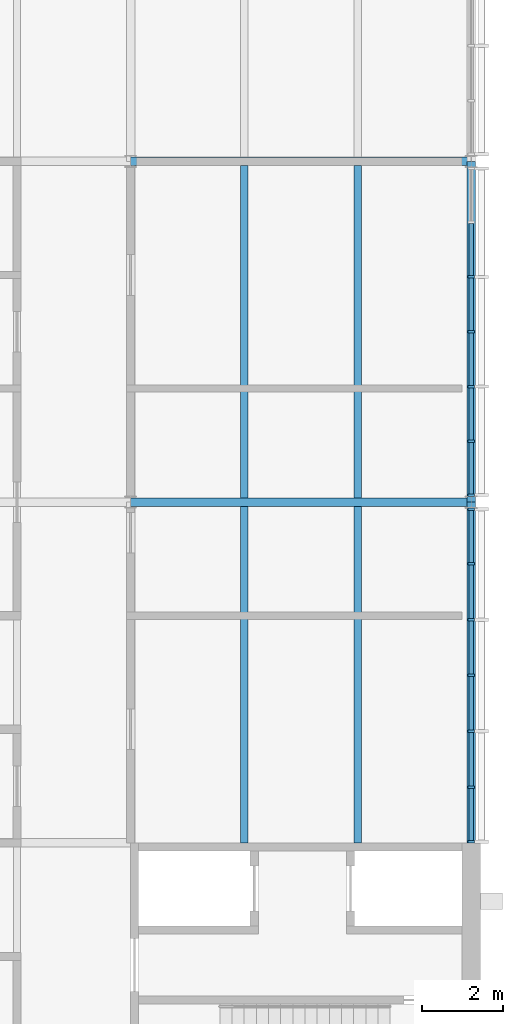
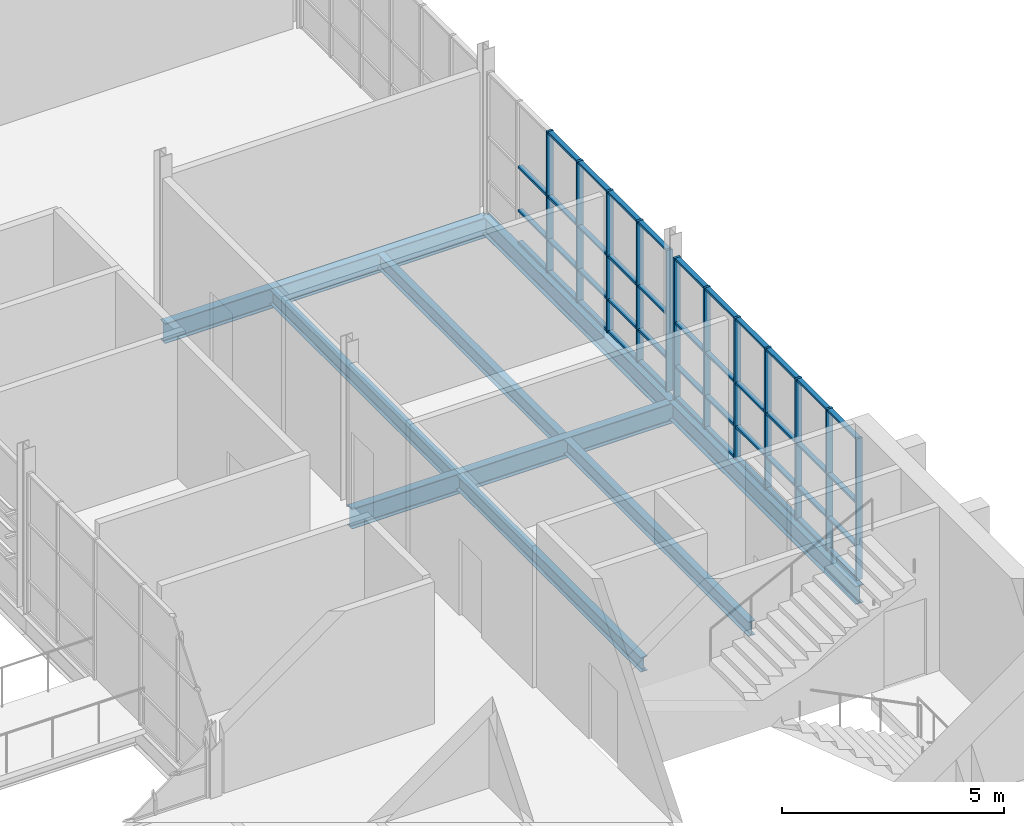
# One storey, part 56 of 129: 55 members, 8 beams, 2 elements without a shape of their own.
"""IFC4 building model written with IfcOpenShell, lengths in metres."""

import ifcopenshell
import ifcopenshell.guid

model = None  # the IFC model being written
_history = None  # IfcOwnerHistory: only IFC2X3 demands one
_inside = {}  # id of a spatial element -> (the spatial element, [elements in it])
_under = {}  # id of a project, library or spatial element -> (it, [spatial elements below it])
_declared = {}  # id of a project -> (the project, [libraries it declares])
_typed = {}  # id of a type object -> (the type object, [elements of that type])
_made_of = {}  # id of a material, layer set ... -> (it, [elements and type objects made of it])


def new_model(schema):
    """Start an empty IFC model of exactly this schema.

    Asked for "IFC4X3", IfcOpenShell would pick the latest addendum, in which some entities
    have other attributes; the version numbers below select the first issue.
    IFC2X3 requires an IfcOwnerHistory on every rooted entity: one is made here for all.
    """
    global model, _history
    if schema == "IFC4X3":
        model = ifcopenshell.file(schema_version=(4, 3, 0, 0))
    else:
        model = ifcopenshell.file(schema=schema)
    _inside.clear()
    _under.clear()
    _declared.clear()
    _typed.clear()
    _made_of.clear()
    _history = None
    if model.schema == "IFC2X3":
        org = make("IfcOrganization", Name="unknown")
        user = make(
            "IfcPersonAndOrganization",
            ThePerson=make("IfcPerson", FamilyName="unknown"),
            TheOrganization=org,
        )
        app = make(
            "IfcApplication",
            ApplicationDeveloper=org,
            Version="unknown",
            ApplicationFullName="unknown",
            ApplicationIdentifier="unknown",
        )
        _history = make(
            "IfcOwnerHistory",
            OwningUser=user,
            OwningApplication=app,
            ChangeAction="ADDED",
            CreationDate=0,
        )
    return model


def make(cls, **values):
    """One entity of the class cls with the attributes given. An attribute that is None is left unset."""
    return model.create_entity(
        cls, **{name: value for name, value in values.items() if value is not None}
    )


def rooted(cls, **values):
    """An entity with a GlobalId (a new one), such as an element, a storey or a relation."""
    return make(cls, GlobalId=ifcopenshell.guid.new(), OwnerHistory=_history, **values)


def si_unit(unit_type, name, prefix=None):
    """IfcSIUnit, for example si_unit("LENGTHUNIT", "METRE", prefix="MILLI")."""
    return make("IfcSIUnit", UnitType=unit_type, Prefix=prefix, Name=name)


def assignment(units):
    """IfcUnitAssignment: the units of a project."""
    return None if units is None else make("IfcUnitAssignment", Units=units)


def point(xyz):
    """IfcCartesianPoint."""
    return None if xyz is None else make("IfcCartesianPoint", Coordinates=xyz)


def direction(xyz):
    """IfcDirection."""
    return None if xyz is None else make("IfcDirection", DirectionRatios=xyz)


def frame(location, z_axis=None, x_axis=None):
    """IfcAxis2Placement3D, a coordinate frame: its origin and axes. An axis left out is left unset."""
    return make(
        "IfcAxis2Placement3D",
        Location=point(location),
        Axis=direction(z_axis),
        RefDirection=direction(x_axis),
    )


def frame_2d(location, x_axis=None):
    """IfcAxis2Placement2D, a coordinate frame in the plane: its origin and x axis."""
    return make(
        "IfcAxis2Placement2D", Location=point(location), RefDirection=direction(x_axis)
    )


def origin():
    """The frame at (0, 0, 0) with its axes left unset."""
    return frame((0.0, 0.0, 0.0))


def origin_2d():
    """The frame at (0, 0) in the plane with its x axis left unset."""
    return frame_2d((0.0, 0.0))


def place(relative_to, where):
    """IfcLocalPlacement: puts the frame where relative to a parent placement (None: the world)."""
    return make(
        "IfcLocalPlacement", PlacementRelTo=relative_to, RelativePlacement=where
    )


def context(
    kind, dimensions, precision=None, world=None, true_north=None, identifier=None
):
    """IfcGeometricRepresentationContext, for example the 3D "Model" context."""
    return make(
        "IfcGeometricRepresentationContext",
        ContextIdentifier=identifier,
        ContextType=kind,
        CoordinateSpaceDimension=dimensions,
        Precision=precision,
        WorldCoordinateSystem=world,
        TrueNorth=true_north,
    )


def subcontext(parent, identifier, kind, view, scale=None):
    """IfcGeometricRepresentationSubContext, for example "Body" below "Model"."""
    return make(
        "IfcGeometricRepresentationSubContext",
        ContextIdentifier=identifier,
        ContextType=kind,
        ParentContext=parent,
        TargetScale=scale,
        TargetView=view,
    )


def project(units=None, contexts=None):
    """IfcProject with its units and contexts."""
    return rooted(
        "IfcProject",
        Name="project",
        RepresentationContexts=contexts,
        UnitsInContext=assignment(units),
    )


def spatial(cls, under=None, at=None, **own):
    """A site, building, storey or space (cls), placed at a placement, below another one or the project."""
    s = rooted(cls, ObjectPlacement=at, **own)
    if under is not None:
        _under.setdefault(under.id(), (under, []))[1].append(s)
    return s


def profile(cls, at=None, kind="AREA", **sizes):
    """A parametric profile (cls). Its sizes go by their IFC names, for example OverallWidth=200.0."""
    return make(cls, ProfileType=kind, Position=at, **sizes)


def rectangle(**sizes):
    """IfcRectangleProfileDef."""
    return profile("IfcRectangleProfileDef", **sizes)


def i_section(**sizes):
    """IfcIShapeProfileDef."""
    return profile("IfcIShapeProfileDef", **sizes)


def extrude(swept, where, along, depth):
    """IfcExtrudedAreaSolid: the profile swept, set in the frame where, extruded along a direction by depth."""
    return make(
        "IfcExtrudedAreaSolid",
        SweptArea=swept,
        Position=where,
        ExtrudedDirection=direction(along),
        Depth=depth,
    )


def shape(context_of_items, identifier, shape_type, items):
    """IfcShapeRepresentation: the items that make up one representation, for example the "Body"."""
    return make(
        "IfcShapeRepresentation",
        ContextOfItems=context_of_items,
        RepresentationIdentifier=identifier,
        RepresentationType=shape_type,
        Items=items,
    )


def material(Name=None, Category=None):
    """IfcMaterial."""
    return make("IfcMaterial", Name=Name, Category=Category)


def layer(
    of_material, thickness, ventilated=None, Name=None, Category=None, Priority=None
):
    """IfcMaterialLayer: one layer of a wall or slab, of a material (None: an air gap)."""
    return make(
        "IfcMaterialLayer",
        Material=of_material,
        LayerThickness=thickness,
        IsVentilated=ventilated,
        Name=Name,
        Category=Category,
        Priority=Priority,
    )


def layer_set(layers, Name=None):
    """IfcMaterialLayerSet."""
    return make("IfcMaterialLayerSet", MaterialLayers=layers, LayerSetName=Name)


def material_profile(
    of_material, cross_section, Name=None, Category=None, Priority=None
):
    """IfcMaterialProfile: a cross section and its material."""
    return make(
        "IfcMaterialProfile",
        Name=Name,
        Material=of_material,
        Profile=cross_section,
        Priority=Priority,
        Category=Category,
    )


def profile_set(profiles, Name=None, composite=None):
    """IfcMaterialProfileSet."""
    return make(
        "IfcMaterialProfileSet",
        Name=Name,
        MaterialProfiles=profiles,
        CompositeProfile=composite,
    )


def made_of(thing, what):
    """Note that an element or type object is made of a material, layer set ...; save() writes the relation."""
    if what is not None:
        _made_of.setdefault(what.id(), (what, []))[1].append(thing)
    return thing


def type_object(cls, material=None, **own):
    """A type object (cls), such as IfcWallType, which elements share."""
    return made_of(rooted(cls, **own), material)


def element(
    cls,
    number,
    at=None,
    inside=None,
    cuts=None,
    type_object=None,
    material=None,
    context=None,
    identifier="Body",
    shape_type=None,
    held_by="IfcProductDefinitionShape",
    body=None,
    shapes=None,
    **own,
):
    """One element of the class cls, such as IfcWall. Its Tag is "e" and its number.

    at: its placement. inside: the storey or other place that contains it. cuts: it is an
    opening in that element (IfcRelVoidsElement). A single representation is given by context,
    identifier, shape_type and body (its items); several are given by shapes. held_by: the class
    of the entity that holds the representations. save() writes the other relations.
    """
    e = rooted(cls, Tag="e%d" % number, ObjectPlacement=at, **own)
    if body is not None:
        shapes = [shape(context, identifier, shape_type, body)]
    if shapes is not None:
        e.Representation = make(held_by, Representations=shapes)
    if inside is not None:
        _inside.setdefault(inside.id(), (inside, []))[1].append(e)
    if cuts is not None:
        rooted(
            "IfcRelVoidsElement", RelatingBuildingElement=cuts, RelatedOpeningElement=e
        )
    if type_object is not None:
        _typed.setdefault(type_object.id(), (type_object, []))[1].append(e)
    return made_of(e, material)


def aggregate(whole, parts):
    """IfcRelAggregates: a whole, such as a stair, and the parts it consists of."""
    return rooted("IfcRelAggregates", RelatingObject=whole, RelatedObjects=parts)


def save(model, path):
    """Write the relations noted so far, then the file.

    IfcRelAggregates (storeys below a building ...), IfcRelContainedInSpatialStructure (elements
    in a storey), IfcRelDefinesByType, IfcRelAssociatesMaterial and IfcRelDeclares: one each for
    every whole, place, type object, material and project.
    """
    for whole, parts in _under.values():
        aggregate(whole, parts)
    for where, things in _inside.values():
        rooted(
            "IfcRelContainedInSpatialStructure",
            RelatedElements=things,
            RelatingStructure=where,
        )
    for kind, things in _typed.values():
        rooted("IfcRelDefinesByType", RelatedObjects=things, RelatingType=kind)
    for what, things in _made_of.values():
        rooted("IfcRelAssociatesMaterial", RelatedObjects=things, RelatingMaterial=what)
    for by, libraries in _declared.values():
        rooted("IfcRelDeclares", RelatingContext=by, RelatedDefinitions=libraries)
    model.write(path)


model = new_model("IFC4")

# Units and contexts
model_context = context("Model", 3, precision=1e-05, world=origin(), true_north=direction((0.0, 1.0)))
body_context = subcontext(model_context, "Body", "Model", "MODEL_VIEW")
ifc_project = project(units=[si_unit("LENGTHUNIT", "METRE"), si_unit("AREAUNIT", "SQUARE_METRE"), si_unit("VOLUMEUNIT", "CUBIC_METRE"), si_unit("PLANEANGLEUNIT", "RADIAN"), si_unit("MASSUNIT", "GRAM", prefix="KILO")], contexts=[model_context])

# Site, building, storey
site_placement = place(None, origin())
site = spatial("IfcSite", under=ifc_project, at=site_placement, CompositionType="ELEMENT")
building_placement = place(site_placement, origin())
building = spatial("IfcBuilding", under=site, at=building_placement, Name="Ardhachandra Cancer Care Centre", CompositionType="ELEMENT")
storey_placement = place(building_placement, frame((0.0, 0.0, 4.5)))
storey = spatial("IfcBuildingStorey", under=building, at=storey_placement, Name="L01", CompositionType="ELEMENT", Elevation=4.5)

# Beams
ifc_material_1 = material(Name="Steel E350 (IS 2062)", Category="steel")
ifc_material_profile_1 = material_profile(ifc_material_1, i_section(OverallWidth=0.179931640625, OverallDepth=0.39990234375, WebThickness=0.008544921875, FlangeThickness=0.013427734375, FilletRadius=0.02099609375, at=origin_2d()), Name="NPB 400x180x66.30")
ifc_profile_set_1 = profile_set([ifc_material_profile_1], Name="Steel E350 (IS 2062)")
beam_type_1 = type_object("IfcBeamType", Name="Beam NPB 400x180x66.30", PredefinedType="BEAM", material=ifc_profile_set_1)
beam_1_placement = place(storey_placement, frame((139.60009765625, 37.800048828125, -0.35009765625), z_axis=(0.0, 1.0, 0.0), x_axis=(-1.0, 0.0, 0.0)))
element("IfcBeam", 1, at=beam_1_placement, inside=storey, type_object=beam_type_1, Name="Secondary D16-E16@2800", PredefinedType="BEAM", context=body_context, shape_type="SweptSolid", body=[
    extrude(i_section(OverallWidth=0.179931640625, OverallDepth=0.39990234375, WebThickness=0.008544921875, FlangeThickness=0.013427734375, FilletRadius=0.02099609375, at=origin_2d()), origin(), (0.0, 0.0, 1.0), 8.294921875),
])
beam_2_placement = place(storey_placement, frame((139.60009765625, 46.304931640625, -0.35009765625), z_axis=(0.0, 1.0, 0.0), x_axis=(-1.0, 0.0, 0.0)))
element("IfcBeam", 2, at=beam_2_placement, inside=storey, type_object=beam_type_1, Name="Secondary E16-F16@2800", PredefinedType="BEAM", context=body_context, shape_type="SweptSolid", body=[
    extrude(i_section(OverallWidth=0.179931640625, OverallDepth=0.39990234375, WebThickness=0.008544921875, FlangeThickness=0.013427734375, FilletRadius=0.02099609375, at=origin_2d()), origin(), (0.0, 0.0, 1.0), 8.190185546875),
])
beam_3_placement = place(storey_placement, frame((142.39990234375, 37.800048828125, -0.35009765625), z_axis=(0.0, 1.0, 0.0), x_axis=(-1.0, 0.0, 0.0)))
element("IfcBeam", 3, at=beam_3_placement, inside=storey, type_object=beam_type_1, Name="Secondary D16-E16@5600", PredefinedType="BEAM", context=body_context, shape_type="SweptSolid", body=[
    extrude(i_section(OverallWidth=0.179931640625, OverallDepth=0.39990234375, WebThickness=0.008544921875, FlangeThickness=0.013427734375, FilletRadius=0.02099609375, at=origin_2d()), origin(), (0.0, 0.0, 1.0), 8.294921875),
])
beam_4_placement = place(storey_placement, frame((142.39990234375, 46.304931640625, -0.35009765625), z_axis=(0.0, 1.0, 0.0), x_axis=(-1.0, 0.0, 0.0)))
element("IfcBeam", 4, at=beam_4_placement, inside=storey, type_object=beam_type_1, Name="Secondary E16-F16@5600", PredefinedType="BEAM", context=body_context, shape_type="SweptSolid", body=[
    extrude(i_section(OverallWidth=0.179931640625, OverallDepth=0.39990234375, WebThickness=0.008544921875, FlangeThickness=0.013427734375, FilletRadius=0.02099609375, at=origin_2d()), origin(), (0.0, 0.0, 1.0), 8.190185546875),
])
ifc_material_2 = material(Name="Steel E350 (IS 2062)", Category="steel")
ifc_material_profile_2 = material_profile(ifc_material_2, i_section(OverallWidth=0.199951171875, OverallDepth=0.5, WebThickness=0.01025390625, FlangeThickness=0.01611328125, FilletRadius=0.02099609375, at=origin_2d()), Name="NPB 500x200x90.68")
ifc_profile_set_2 = profile_set([ifc_material_profile_2], Name="Steel E350 (IS 2062)")
beam_type_2 = type_object("IfcBeamType", Name="Beam NPB 500x200x90.68", PredefinedType="BEAM", material=ifc_profile_set_2)
beam_5_placement = place(storey_placement, frame((145.199951171875, 37.800048828125, -0.39990234375), z_axis=(0.0, 1.0, 0.0), x_axis=(-1.0, 0.0, 0.0)))
element("IfcBeam", 5, at=beam_5_placement, inside=storey, type_object=beam_type_2, Name="Edge girder D17-E17", PredefinedType="BEAM", context=body_context, shape_type="SweptSolid", body=[
    extrude(i_section(OverallWidth=0.199951171875, OverallDepth=0.5, WebThickness=0.01025390625, FlangeThickness=0.01611328125, FilletRadius=0.02099609375, at=origin_2d()), origin(), (0.0, 0.0, 1.0), 8.39990234375),
])
beam_6_placement = place(storey_placement, frame((145.199951171875, 46.199951171875, -0.39990234375), z_axis=(0.0, 1.0, 0.0), x_axis=(-1.0, 0.0, 0.0)))
element("IfcBeam", 6, at=beam_6_placement, inside=storey, type_object=beam_type_2, Name="Edge girder E17-F17", PredefinedType="BEAM", context=body_context, shape_type="SweptSolid", body=[
    extrude(i_section(OverallWidth=0.199951171875, OverallDepth=0.5, WebThickness=0.01025390625, FlangeThickness=0.01611328125, FilletRadius=0.02099609375, at=origin_2d()), origin(), (0.0, 0.0, 1.0), 8.400146484375),
])
ifc_material_3 = material(Name="Steel E350 (IS 2062)", Category="steel")
ifc_material_profile_3 = material_profile(ifc_material_3, i_section(OverallWidth=0.2099609375, OverallDepth=0.550048828125, WebThickness=0.010986328125, FlangeThickness=0.01708984375, FilletRadius=0.02392578125, at=origin_2d()), Name="NPB 550x210x105.52")
ifc_profile_set_3 = profile_set([ifc_material_profile_3], Name="Steel E350 (IS 2062)")
beam_type_3 = type_object("IfcBeamType", Name="Beam NPB 550x210x105.52", PredefinedType="BEAM", material=ifc_profile_set_3)
for number, where, z_axis, x_axis, name in (
    (7, (136.800048828125, 46.199951171875, -0.425048828125), (1.0, 0.0, 0.0), (0.0, 1.0, 0.0), "Girder E16-E17"),
    (8, (136.800048828125, 54.60009765625, -0.425048828125), (1.0, 0.0, 0.0), (0.0, 1.0, 0.0), "Girder F16-F17"),
):
    element("IfcBeam", number, at=place(storey_placement, frame(where, z_axis=z_axis, x_axis=x_axis)), inside=storey, type_object=beam_type_3, Name=name, PredefinedType="BEAM", context=body_context, shape_type="SweptSolid", body=[
        extrude(i_section(OverallWidth=0.2099609375, OverallDepth=0.550048828125, WebThickness=0.010986328125, FlangeThickness=0.01708984375, FilletRadius=0.02392578125, at=origin_2d()), origin(), (0.0, 0.0, 1.0), 8.39990234375),
    ])

# Curtain wall, members
ifc_material_4 = material(Name="Aluminium extrusion", Category="aluminium")
ifc_layer = layer(ifc_material_4, 0.14990234375)
ifc_layer_set = layer_set([ifc_layer], Name="Aluminium extrusion")
curtain_wall_type = type_object("IfcCurtainWallType", Name="Curtain wall run", PredefinedType="NOTDEFINED", material=ifc_layer_set)
curtain_wall_1_placement = place(storey_placement, origin())
curtain_wall_1 = element("IfcCurtainWall", 9, at=curtain_wall_1_placement, inside=storey, type_object=curtain_wall_type, Name="Curtain wall L01 e/0145200_0037800", PredefinedType="NOTDEFINED")
ifc_material_5 = material(Name="Aluminium extrusion", Category="aluminium")
ifc_material_profile_4 = material_profile(ifc_material_5, rectangle(XDim=0.159912109375, YDim=0.06005859375, at=origin_2d()), Name="Curtain wall mullion 60 x 160")
ifc_profile_set_4 = profile_set([ifc_material_profile_4], Name="Aluminium extrusion")
member_type_1 = type_object("IfcMemberType", Name="Curtain wall mullion 60 x 160", PredefinedType="MULLION", material=ifc_profile_set_4)
member_1_placement = place(storey_placement, frame((145.199951171875, 37.830078125, 0.0), z_axis=(0.0, 0.0, 1.0), x_axis=(-1.0, 0.0, 0.0)))
member_1 = element("IfcMember", 10, at=member_1_placement, type_object=member_type_1, Name="CW mullion 1", PredefinedType="MULLION", context=body_context, shape_type="SweptSolid", body=[
    extrude(rectangle(XDim=0.159912109375, YDim=0.06005859375, at=origin_2d()), origin(), (0.0, 0.0, 1.0), 3.885986328125),
])
member_2_placement = place(storey_placement, frame((145.199951171875, 39.17578125, 0.0), z_axis=(0.0, 0.0, 1.0), x_axis=(-1.0, 0.0, 0.0)))
member_2 = element("IfcMember", 11, at=member_2_placement, type_object=member_type_1, Name="CW mullion 2", PredefinedType="MULLION", context=body_context, shape_type="SweptSolid", body=[
    extrude(rectangle(XDim=0.159912109375, YDim=0.06005859375, at=origin_2d()), origin(), (0.0, 0.0, 1.0), 3.885986328125),
])
member_3_placement = place(storey_placement, frame((145.199951171875, 40.5517578125, 0.0), z_axis=(0.0, 0.0, 1.0), x_axis=(-1.0, 0.0, 0.0)))
member_3 = element("IfcMember", 12, at=member_3_placement, type_object=member_type_1, Name="CW mullion 3", PredefinedType="MULLION", context=body_context, shape_type="SweptSolid", body=[
    extrude(rectangle(XDim=0.159912109375, YDim=0.06005859375, at=origin_2d()), origin(), (0.0, 0.0, 1.0), 3.885986328125),
])
member_4_placement = place(storey_placement, frame((145.199951171875, 41.927490234375, 0.0), z_axis=(0.0, 0.0, 1.0), x_axis=(-1.0, 0.0, 0.0)))
member_4 = element("IfcMember", 13, at=member_4_placement, type_object=member_type_1, Name="CW mullion 4", PredefinedType="MULLION", context=body_context, shape_type="SweptSolid", body=[
    extrude(rectangle(XDim=0.159912109375, YDim=0.06005859375, at=origin_2d()), origin(), (0.0, 0.0, 1.0), 3.885986328125),
])
member_5_placement = place(storey_placement, frame((145.199951171875, 43.30322265625, 0.0), z_axis=(0.0, 0.0, 1.0), x_axis=(-1.0, 0.0, 0.0)))
member_5 = element("IfcMember", 14, at=member_5_placement, type_object=member_type_1, Name="CW mullion 5", PredefinedType="MULLION", context=body_context, shape_type="SweptSolid", body=[
    extrude(rectangle(XDim=0.159912109375, YDim=0.06005859375, at=origin_2d()), origin(), (0.0, 0.0, 1.0), 3.885986328125),
])
member_6_placement = place(storey_placement, frame((145.199951171875, 44.67919921875, 0.0), z_axis=(0.0, 0.0, 1.0), x_axis=(-1.0, 0.0, 0.0)))
member_6 = element("IfcMember", 15, at=member_6_placement, type_object=member_type_1, Name="CW mullion 6", PredefinedType="MULLION", context=body_context, shape_type="SweptSolid", body=[
    extrude(rectangle(XDim=0.159912109375, YDim=0.06005859375, at=origin_2d()), origin(), (0.0, 0.0, 1.0), 3.885986328125),
])
member_7_placement = place(storey_placement, frame((145.199951171875, 46.02490234375, 0.0), z_axis=(0.0, 0.0, 1.0), x_axis=(-1.0, 0.0, 0.0)))
member_7 = element("IfcMember", 16, at=member_7_placement, type_object=member_type_1, Name="CW mullion 7", PredefinedType="MULLION", context=body_context, shape_type="SweptSolid", body=[
    extrude(rectangle(XDim=0.159912109375, YDim=0.06005859375, at=origin_2d()), origin(), (0.0, 0.0, 1.0), 3.885986328125),
])

curtain_wall_2_placement = place(storey_placement, origin())
curtain_wall_2 = element("IfcCurtainWall", 17, at=curtain_wall_2_placement, inside=storey, type_object=curtain_wall_type, Name="Curtain wall L01 e/0145200_0046200", PredefinedType="NOTDEFINED")
member_8_placement = place(storey_placement, frame((145.199951171875, 46.375, 0.0), z_axis=(0.0, 0.0, 1.0), x_axis=(-1.0, 0.0, 0.0)))
member_8 = element("IfcMember", 18, at=member_8_placement, type_object=member_type_1, Name="CW mullion 1", PredefinedType="MULLION", context=body_context, shape_type="SweptSolid", body=[
    extrude(rectangle(XDim=0.159912109375, YDim=0.06005859375, at=origin_2d()), origin(), (0.0, 0.0, 1.0), 3.885986328125),
])
member_9_placement = place(storey_placement, frame((145.199951171875, 47.69677734375, 0.0), z_axis=(0.0, 0.0, 1.0), x_axis=(-1.0, 0.0, 0.0)))
member_9 = element("IfcMember", 19, at=member_9_placement, type_object=member_type_1, Name="CW mullion 2", PredefinedType="MULLION", context=body_context, shape_type="SweptSolid", body=[
    extrude(rectangle(XDim=0.159912109375, YDim=0.06005859375, at=origin_2d()), origin(), (0.0, 0.0, 1.0), 3.885986328125),
])
member_10_placement = place(storey_placement, frame((145.199951171875, 49.04833984375, 0.0), z_axis=(0.0, 0.0, 1.0), x_axis=(-1.0, 0.0, 0.0)))
member_10 = element("IfcMember", 20, at=member_10_placement, type_object=member_type_1, Name="CW mullion 3", PredefinedType="MULLION", context=body_context, shape_type="SweptSolid", body=[
    extrude(rectangle(XDim=0.159912109375, YDim=0.06005859375, at=origin_2d()), origin(), (0.0, 0.0, 1.0), 3.885986328125),
])
member_11_placement = place(storey_placement, frame((145.199951171875, 50.39990234375, 0.0), z_axis=(0.0, 0.0, 1.0), x_axis=(-1.0, 0.0, 0.0)))
member_11 = element("IfcMember", 21, at=member_11_placement, type_object=member_type_1, Name="CW mullion 4", PredefinedType="MULLION", context=body_context, shape_type="SweptSolid", body=[
    extrude(rectangle(XDim=0.159912109375, YDim=0.06005859375, at=origin_2d()), origin(), (0.0, 0.0, 1.0), 3.885986328125),
])
member_12_placement = place(storey_placement, frame((145.199951171875, 51.751708984375, 0.0), z_axis=(0.0, 0.0, 1.0), x_axis=(-1.0, 0.0, 0.0)))
member_12 = element("IfcMember", 22, at=member_12_placement, type_object=member_type_1, Name="CW mullion 5", PredefinedType="MULLION", context=body_context, shape_type="SweptSolid", body=[
    extrude(rectangle(XDim=0.159912109375, YDim=0.06005859375, at=origin_2d()), origin(), (0.0, 0.0, 1.0), 3.885986328125),
])

# Member
ifc_material_6 = material(Name="Aluminium extrusion", Category="aluminium")
ifc_material_profile_5 = material_profile(ifc_material_6, rectangle(XDim=0.1201171875, YDim=0.06005859375, at=origin_2d()), Name="Curtain wall transom 60 x 120")
ifc_profile_set_5 = profile_set([ifc_material_profile_5], Name="Aluminium extrusion")
member_type_2 = type_object("IfcMemberType", Name="Curtain wall transom 60 x 120", PredefinedType="USERDEFINED", material=ifc_profile_set_5)
member_13_placement = place(storey_placement, frame((145.199951171875, 37.860107421875, 0.030029296875), z_axis=(0.0, 1.0, 0.0), x_axis=(-1.0, 0.0, 0.0)))
member_13 = element("IfcMember", 23, at=member_13_placement, type_object=member_type_2, Name="CW transom 1.1", ObjectType="TRANSOM", PredefinedType="USERDEFINED", context=body_context, shape_type="SweptSolid", body=[
    extrude(rectangle(XDim=0.1201171875, YDim=0.06005859375, at=origin_2d()), origin(), (0.0, 0.0, 1.0), 1.28564453125),
])

member_14_placement = place(storey_placement, frame((145.199951171875, 37.860107421875, 0.89990234375), z_axis=(0.0, 1.0, 0.0), x_axis=(-1.0, 0.0, 0.0)))
member_14 = element("IfcMember", 24, at=member_14_placement, type_object=member_type_2, Name="CW transom 1.2", ObjectType="TRANSOM", PredefinedType="USERDEFINED", context=body_context, shape_type="SweptSolid", body=[
    extrude(rectangle(XDim=0.1201171875, YDim=0.06005859375, at=origin_2d()), origin(), (0.0, 0.0, 1.0), 1.28564453125),
])

member_15_placement = place(storey_placement, frame((145.199951171875, 37.860107421875, 2.10009765625), z_axis=(0.0, 1.0, 0.0), x_axis=(-1.0, 0.0, 0.0)))
member_15 = element("IfcMember", 25, at=member_15_placement, type_object=member_type_2, Name="CW transom 1.3", ObjectType="TRANSOM", PredefinedType="USERDEFINED", context=body_context, shape_type="SweptSolid", body=[
    extrude(rectangle(XDim=0.1201171875, YDim=0.06005859375, at=origin_2d()), origin(), (0.0, 0.0, 1.0), 1.28564453125),
])

member_16_placement = place(storey_placement, frame((145.199951171875, 37.860107421875, 3.85595703125), z_axis=(0.0, 1.0, 0.0), x_axis=(-1.0, 0.0, 0.0)))
member_16 = element("IfcMember", 26, at=member_16_placement, type_object=member_type_2, Name="CW transom 1.4", ObjectType="TRANSOM", PredefinedType="USERDEFINED", context=body_context, shape_type="SweptSolid", body=[
    extrude(rectangle(XDim=0.1201171875, YDim=0.06005859375, at=origin_2d()), origin(), (0.0, 0.0, 1.0), 1.28564453125),
])

member_17_placement = place(storey_placement, frame((145.199951171875, 39.205810546875, 0.030029296875), z_axis=(0.0, 1.0, 0.0), x_axis=(-1.0, 0.0, 0.0)))
member_17 = element("IfcMember", 27, at=member_17_placement, type_object=member_type_2, Name="CW transom 2.1", ObjectType="TRANSOM", PredefinedType="USERDEFINED", context=body_context, shape_type="SweptSolid", body=[
    extrude(rectangle(XDim=0.1201171875, YDim=0.06005859375, at=origin_2d()), origin(), (0.0, 0.0, 1.0), 1.31591796875),
])

member_18_placement = place(storey_placement, frame((145.199951171875, 39.205810546875, 0.89990234375), z_axis=(0.0, 1.0, 0.0), x_axis=(-1.0, 0.0, 0.0)))
member_18 = element("IfcMember", 28, at=member_18_placement, type_object=member_type_2, Name="CW transom 2.2", ObjectType="TRANSOM", PredefinedType="USERDEFINED", context=body_context, shape_type="SweptSolid", body=[
    extrude(rectangle(XDim=0.1201171875, YDim=0.06005859375, at=origin_2d()), origin(), (0.0, 0.0, 1.0), 1.31591796875),
])

member_19_placement = place(storey_placement, frame((145.199951171875, 39.205810546875, 2.10009765625), z_axis=(0.0, 1.0, 0.0), x_axis=(-1.0, 0.0, 0.0)))
member_19 = element("IfcMember", 29, at=member_19_placement, type_object=member_type_2, Name="CW transom 2.3", ObjectType="TRANSOM", PredefinedType="USERDEFINED", context=body_context, shape_type="SweptSolid", body=[
    extrude(rectangle(XDim=0.1201171875, YDim=0.06005859375, at=origin_2d()), origin(), (0.0, 0.0, 1.0), 1.31591796875),
])

member_20_placement = place(storey_placement, frame((145.199951171875, 39.205810546875, 3.85595703125), z_axis=(0.0, 1.0, 0.0), x_axis=(-1.0, 0.0, 0.0)))
member_20 = element("IfcMember", 30, at=member_20_placement, type_object=member_type_2, Name="CW transom 2.4", ObjectType="TRANSOM", PredefinedType="USERDEFINED", context=body_context, shape_type="SweptSolid", body=[
    extrude(rectangle(XDim=0.1201171875, YDim=0.06005859375, at=origin_2d()), origin(), (0.0, 0.0, 1.0), 1.31591796875),
])

member_21_placement = place(storey_placement, frame((145.199951171875, 40.581787109375, 0.030029296875), z_axis=(0.0, 1.0, 0.0), x_axis=(-1.0, 0.0, 0.0)))
member_21 = element("IfcMember", 31, at=member_21_placement, type_object=member_type_2, Name="CW transom 3.1", ObjectType="TRANSOM", PredefinedType="USERDEFINED", context=body_context, shape_type="SweptSolid", body=[
    extrude(rectangle(XDim=0.1201171875, YDim=0.06005859375, at=origin_2d()), origin(), (0.0, 0.0, 1.0), 1.315673828125),
])

member_22_placement = place(storey_placement, frame((145.199951171875, 40.581787109375, 0.89990234375), z_axis=(0.0, 1.0, 0.0), x_axis=(-1.0, 0.0, 0.0)))
member_22 = element("IfcMember", 32, at=member_22_placement, type_object=member_type_2, Name="CW transom 3.2", ObjectType="TRANSOM", PredefinedType="USERDEFINED", context=body_context, shape_type="SweptSolid", body=[
    extrude(rectangle(XDim=0.1201171875, YDim=0.06005859375, at=origin_2d()), origin(), (0.0, 0.0, 1.0), 1.315673828125),
])

member_23_placement = place(storey_placement, frame((145.199951171875, 40.581787109375, 2.10009765625), z_axis=(0.0, 1.0, 0.0), x_axis=(-1.0, 0.0, 0.0)))
member_23 = element("IfcMember", 33, at=member_23_placement, type_object=member_type_2, Name="CW transom 3.3", ObjectType="TRANSOM", PredefinedType="USERDEFINED", context=body_context, shape_type="SweptSolid", body=[
    extrude(rectangle(XDim=0.1201171875, YDim=0.06005859375, at=origin_2d()), origin(), (0.0, 0.0, 1.0), 1.315673828125),
])

member_24_placement = place(storey_placement, frame((145.199951171875, 40.581787109375, 3.85595703125), z_axis=(0.0, 1.0, 0.0), x_axis=(-1.0, 0.0, 0.0)))
member_24 = element("IfcMember", 34, at=member_24_placement, type_object=member_type_2, Name="CW transom 3.4", ObjectType="TRANSOM", PredefinedType="USERDEFINED", context=body_context, shape_type="SweptSolid", body=[
    extrude(rectangle(XDim=0.1201171875, YDim=0.06005859375, at=origin_2d()), origin(), (0.0, 0.0, 1.0), 1.315673828125),
])

member_25_placement = place(storey_placement, frame((145.199951171875, 41.95751953125, 0.030029296875), z_axis=(0.0, 1.0, 0.0), x_axis=(-1.0, 0.0, 0.0)))
member_25 = element("IfcMember", 35, at=member_25_placement, type_object=member_type_2, Name="CW transom 4.1", ObjectType="TRANSOM", PredefinedType="USERDEFINED", context=body_context, shape_type="SweptSolid", body=[
    extrude(rectangle(XDim=0.1201171875, YDim=0.06005859375, at=origin_2d()), origin(), (0.0, 0.0, 1.0), 1.31591796875),
])

member_26_placement = place(storey_placement, frame((145.199951171875, 41.95751953125, 0.89990234375), z_axis=(0.0, 1.0, 0.0), x_axis=(-1.0, 0.0, 0.0)))
member_26 = element("IfcMember", 36, at=member_26_placement, type_object=member_type_2, Name="CW transom 4.2", ObjectType="TRANSOM", PredefinedType="USERDEFINED", context=body_context, shape_type="SweptSolid", body=[
    extrude(rectangle(XDim=0.1201171875, YDim=0.06005859375, at=origin_2d()), origin(), (0.0, 0.0, 1.0), 1.31591796875),
])

member_27_placement = place(storey_placement, frame((145.199951171875, 41.95751953125, 2.10009765625), z_axis=(0.0, 1.0, 0.0), x_axis=(-1.0, 0.0, 0.0)))
member_27 = element("IfcMember", 37, at=member_27_placement, type_object=member_type_2, Name="CW transom 4.3", ObjectType="TRANSOM", PredefinedType="USERDEFINED", context=body_context, shape_type="SweptSolid", body=[
    extrude(rectangle(XDim=0.1201171875, YDim=0.06005859375, at=origin_2d()), origin(), (0.0, 0.0, 1.0), 1.31591796875),
])

member_28_placement = place(storey_placement, frame((145.199951171875, 41.95751953125, 3.85595703125), z_axis=(0.0, 1.0, 0.0), x_axis=(-1.0, 0.0, 0.0)))
member_28 = element("IfcMember", 38, at=member_28_placement, type_object=member_type_2, Name="CW transom 4.4", ObjectType="TRANSOM", PredefinedType="USERDEFINED", context=body_context, shape_type="SweptSolid", body=[
    extrude(rectangle(XDim=0.1201171875, YDim=0.06005859375, at=origin_2d()), origin(), (0.0, 0.0, 1.0), 1.31591796875),
])

member_29_placement = place(storey_placement, frame((145.199951171875, 43.333251953125, 0.030029296875), z_axis=(0.0, 1.0, 0.0), x_axis=(-1.0, 0.0, 0.0)))
member_29 = element("IfcMember", 39, at=member_29_placement, type_object=member_type_2, Name="CW transom 5.1", ObjectType="TRANSOM", PredefinedType="USERDEFINED", context=body_context, shape_type="SweptSolid", body=[
    extrude(rectangle(XDim=0.1201171875, YDim=0.06005859375, at=origin_2d()), origin(), (0.0, 0.0, 1.0), 1.31591796875),
])

member_30_placement = place(storey_placement, frame((145.199951171875, 43.333251953125, 0.89990234375), z_axis=(0.0, 1.0, 0.0), x_axis=(-1.0, 0.0, 0.0)))
member_30 = element("IfcMember", 40, at=member_30_placement, type_object=member_type_2, Name="CW transom 5.2", ObjectType="TRANSOM", PredefinedType="USERDEFINED", context=body_context, shape_type="SweptSolid", body=[
    extrude(rectangle(XDim=0.1201171875, YDim=0.06005859375, at=origin_2d()), origin(), (0.0, 0.0, 1.0), 1.31591796875),
])

member_31_placement = place(storey_placement, frame((145.199951171875, 43.333251953125, 2.10009765625), z_axis=(0.0, 1.0, 0.0), x_axis=(-1.0, 0.0, 0.0)))
member_31 = element("IfcMember", 41, at=member_31_placement, type_object=member_type_2, Name="CW transom 5.3", ObjectType="TRANSOM", PredefinedType="USERDEFINED", context=body_context, shape_type="SweptSolid", body=[
    extrude(rectangle(XDim=0.1201171875, YDim=0.06005859375, at=origin_2d()), origin(), (0.0, 0.0, 1.0), 1.31591796875),
])

member_32_placement = place(storey_placement, frame((145.199951171875, 43.333251953125, 3.85595703125), z_axis=(0.0, 1.0, 0.0), x_axis=(-1.0, 0.0, 0.0)))
member_32 = element("IfcMember", 42, at=member_32_placement, type_object=member_type_2, Name="CW transom 5.4", ObjectType="TRANSOM", PredefinedType="USERDEFINED", context=body_context, shape_type="SweptSolid", body=[
    extrude(rectangle(XDim=0.1201171875, YDim=0.06005859375, at=origin_2d()), origin(), (0.0, 0.0, 1.0), 1.31591796875),
])

member_33_placement = place(storey_placement, frame((145.199951171875, 44.709228515625, 0.030029296875), z_axis=(0.0, 1.0, 0.0), x_axis=(-1.0, 0.0, 0.0)))
member_33 = element("IfcMember", 43, at=member_33_placement, type_object=member_type_2, Name="CW transom 6.1", ObjectType="TRANSOM", PredefinedType="USERDEFINED", context=body_context, shape_type="SweptSolid", body=[
    extrude(rectangle(XDim=0.1201171875, YDim=0.06005859375, at=origin_2d()), origin(), (0.0, 0.0, 1.0), 1.285888671875),
])

member_34_placement = place(storey_placement, frame((145.199951171875, 44.709228515625, 0.89990234375), z_axis=(0.0, 1.0, 0.0), x_axis=(-1.0, 0.0, 0.0)))
member_34 = element("IfcMember", 44, at=member_34_placement, type_object=member_type_2, Name="CW transom 6.2", ObjectType="TRANSOM", PredefinedType="USERDEFINED", context=body_context, shape_type="SweptSolid", body=[
    extrude(rectangle(XDim=0.1201171875, YDim=0.06005859375, at=origin_2d()), origin(), (0.0, 0.0, 1.0), 1.285888671875),
])

member_35_placement = place(storey_placement, frame((145.199951171875, 44.709228515625, 2.10009765625), z_axis=(0.0, 1.0, 0.0), x_axis=(-1.0, 0.0, 0.0)))
member_35 = element("IfcMember", 45, at=member_35_placement, type_object=member_type_2, Name="CW transom 6.3", ObjectType="TRANSOM", PredefinedType="USERDEFINED", context=body_context, shape_type="SweptSolid", body=[
    extrude(rectangle(XDim=0.1201171875, YDim=0.06005859375, at=origin_2d()), origin(), (0.0, 0.0, 1.0), 1.285888671875),
])

member_36_placement = place(storey_placement, frame((145.199951171875, 44.709228515625, 3.85595703125), z_axis=(0.0, 1.0, 0.0), x_axis=(-1.0, 0.0, 0.0)))
member_36 = element("IfcMember", 46, at=member_36_placement, type_object=member_type_2, Name="CW transom 6.4", ObjectType="TRANSOM", PredefinedType="USERDEFINED", context=body_context, shape_type="SweptSolid", body=[
    extrude(rectangle(XDim=0.1201171875, YDim=0.06005859375, at=origin_2d()), origin(), (0.0, 0.0, 1.0), 1.285888671875),
])

aggregate(curtain_wall_1, [member_1, member_2, member_3, member_4, member_5, member_6, member_7, member_13, member_14, member_15, member_16, member_17, member_18, member_19, member_20, member_21, member_22, member_23, member_24, member_25, member_26, member_27, member_28, member_29, member_30, member_31, member_32, member_33, member_34, member_35, member_36])

member_37_placement = place(storey_placement, frame((145.199951171875, 46.405029296875, 0.030029296875), z_axis=(0.0, 1.0, 0.0), x_axis=(-1.0, 0.0, 0.0)))
member_37 = element("IfcMember", 47, at=member_37_placement, type_object=member_type_2, Name="CW transom 1.1", ObjectType="TRANSOM", PredefinedType="USERDEFINED", context=body_context, shape_type="SweptSolid", body=[
    extrude(rectangle(XDim=0.1201171875, YDim=0.06005859375, at=origin_2d()), origin(), (0.0, 0.0, 1.0), 1.26171875),
])

member_38_placement = place(storey_placement, frame((145.199951171875, 46.405029296875, 0.89990234375), z_axis=(0.0, 1.0, 0.0), x_axis=(-1.0, 0.0, 0.0)))
member_38 = element("IfcMember", 48, at=member_38_placement, type_object=member_type_2, Name="CW transom 1.2", ObjectType="TRANSOM", PredefinedType="USERDEFINED", context=body_context, shape_type="SweptSolid", body=[
    extrude(rectangle(XDim=0.1201171875, YDim=0.06005859375, at=origin_2d()), origin(), (0.0, 0.0, 1.0), 1.26171875),
])

member_39_placement = place(storey_placement, frame((145.199951171875, 46.405029296875, 2.10009765625), z_axis=(0.0, 1.0, 0.0), x_axis=(-1.0, 0.0, 0.0)))
member_39 = element("IfcMember", 49, at=member_39_placement, type_object=member_type_2, Name="CW transom 1.3", ObjectType="TRANSOM", PredefinedType="USERDEFINED", context=body_context, shape_type="SweptSolid", body=[
    extrude(rectangle(XDim=0.1201171875, YDim=0.06005859375, at=origin_2d()), origin(), (0.0, 0.0, 1.0), 1.26171875),
])

member_40_placement = place(storey_placement, frame((145.199951171875, 46.405029296875, 3.85595703125), z_axis=(0.0, 1.0, 0.0), x_axis=(-1.0, 0.0, 0.0)))
member_40 = element("IfcMember", 50, at=member_40_placement, type_object=member_type_2, Name="CW transom 1.4", ObjectType="TRANSOM", PredefinedType="USERDEFINED", context=body_context, shape_type="SweptSolid", body=[
    extrude(rectangle(XDim=0.1201171875, YDim=0.06005859375, at=origin_2d()), origin(), (0.0, 0.0, 1.0), 1.26171875),
])

member_41_placement = place(storey_placement, frame((145.199951171875, 47.7265625, 0.030029296875), z_axis=(0.0, 1.0, 0.0), x_axis=(-1.0, 0.0, 0.0)))
member_41 = element("IfcMember", 51, at=member_41_placement, type_object=member_type_2, Name="CW transom 2.1", ObjectType="TRANSOM", PredefinedType="USERDEFINED", context=body_context, shape_type="SweptSolid", body=[
    extrude(rectangle(XDim=0.1201171875, YDim=0.06005859375, at=origin_2d()), origin(), (0.0, 0.0, 1.0), 1.291748046875),
])

member_42_placement = place(storey_placement, frame((145.199951171875, 47.7265625, 0.89990234375), z_axis=(0.0, 1.0, 0.0), x_axis=(-1.0, 0.0, 0.0)))
member_42 = element("IfcMember", 52, at=member_42_placement, type_object=member_type_2, Name="CW transom 2.2", ObjectType="TRANSOM", PredefinedType="USERDEFINED", context=body_context, shape_type="SweptSolid", body=[
    extrude(rectangle(XDim=0.1201171875, YDim=0.06005859375, at=origin_2d()), origin(), (0.0, 0.0, 1.0), 1.291748046875),
])

member_43_placement = place(storey_placement, frame((145.199951171875, 47.7265625, 2.10009765625), z_axis=(0.0, 1.0, 0.0), x_axis=(-1.0, 0.0, 0.0)))
member_43 = element("IfcMember", 53, at=member_43_placement, type_object=member_type_2, Name="CW transom 2.3", ObjectType="TRANSOM", PredefinedType="USERDEFINED", context=body_context, shape_type="SweptSolid", body=[
    extrude(rectangle(XDim=0.1201171875, YDim=0.06005859375, at=origin_2d()), origin(), (0.0, 0.0, 1.0), 1.291748046875),
])

member_44_placement = place(storey_placement, frame((145.199951171875, 47.7265625, 3.85595703125), z_axis=(0.0, 1.0, 0.0), x_axis=(-1.0, 0.0, 0.0)))
member_44 = element("IfcMember", 54, at=member_44_placement, type_object=member_type_2, Name="CW transom 2.4", ObjectType="TRANSOM", PredefinedType="USERDEFINED", context=body_context, shape_type="SweptSolid", body=[
    extrude(rectangle(XDim=0.1201171875, YDim=0.06005859375, at=origin_2d()), origin(), (0.0, 0.0, 1.0), 1.291748046875),
])

member_45_placement = place(storey_placement, frame((145.199951171875, 49.078369140625, 0.030029296875), z_axis=(0.0, 1.0, 0.0), x_axis=(-1.0, 0.0, 0.0)))
member_45 = element("IfcMember", 55, at=member_45_placement, type_object=member_type_2, Name="CW transom 3.1", ObjectType="TRANSOM", PredefinedType="USERDEFINED", context=body_context, shape_type="SweptSolid", body=[
    extrude(rectangle(XDim=0.1201171875, YDim=0.06005859375, at=origin_2d()), origin(), (0.0, 0.0, 1.0), 1.291748046875),
])

member_46_placement = place(storey_placement, frame((145.199951171875, 49.078369140625, 0.89990234375), z_axis=(0.0, 1.0, 0.0), x_axis=(-1.0, 0.0, 0.0)))
member_46 = element("IfcMember", 56, at=member_46_placement, type_object=member_type_2, Name="CW transom 3.2", ObjectType="TRANSOM", PredefinedType="USERDEFINED", context=body_context, shape_type="SweptSolid", body=[
    extrude(rectangle(XDim=0.1201171875, YDim=0.06005859375, at=origin_2d()), origin(), (0.0, 0.0, 1.0), 1.291748046875),
])

member_47_placement = place(storey_placement, frame((145.199951171875, 49.078369140625, 2.10009765625), z_axis=(0.0, 1.0, 0.0), x_axis=(-1.0, 0.0, 0.0)))
member_47 = element("IfcMember", 57, at=member_47_placement, type_object=member_type_2, Name="CW transom 3.3", ObjectType="TRANSOM", PredefinedType="USERDEFINED", context=body_context, shape_type="SweptSolid", body=[
    extrude(rectangle(XDim=0.1201171875, YDim=0.06005859375, at=origin_2d()), origin(), (0.0, 0.0, 1.0), 1.291748046875),
])

member_48_placement = place(storey_placement, frame((145.199951171875, 49.078369140625, 3.85595703125), z_axis=(0.0, 1.0, 0.0), x_axis=(-1.0, 0.0, 0.0)))
member_48 = element("IfcMember", 58, at=member_48_placement, type_object=member_type_2, Name="CW transom 3.4", ObjectType="TRANSOM", PredefinedType="USERDEFINED", context=body_context, shape_type="SweptSolid", body=[
    extrude(rectangle(XDim=0.1201171875, YDim=0.06005859375, at=origin_2d()), origin(), (0.0, 0.0, 1.0), 1.291748046875),
])

member_49_placement = place(storey_placement, frame((145.199951171875, 50.429931640625, 0.030029296875), z_axis=(0.0, 1.0, 0.0), x_axis=(-1.0, 0.0, 0.0)))
member_49 = element("IfcMember", 59, at=member_49_placement, type_object=member_type_2, Name="CW transom 4.1", ObjectType="TRANSOM", PredefinedType="USERDEFINED", context=body_context, shape_type="SweptSolid", body=[
    extrude(rectangle(XDim=0.1201171875, YDim=0.06005859375, at=origin_2d()), origin(), (0.0, 0.0, 1.0), 1.291748046875),
])

member_50_placement = place(storey_placement, frame((145.199951171875, 50.429931640625, 0.89990234375), z_axis=(0.0, 1.0, 0.0), x_axis=(-1.0, 0.0, 0.0)))
member_50 = element("IfcMember", 60, at=member_50_placement, type_object=member_type_2, Name="CW transom 4.2", ObjectType="TRANSOM", PredefinedType="USERDEFINED", context=body_context, shape_type="SweptSolid", body=[
    extrude(rectangle(XDim=0.1201171875, YDim=0.06005859375, at=origin_2d()), origin(), (0.0, 0.0, 1.0), 1.291748046875),
])

member_51_placement = place(storey_placement, frame((145.199951171875, 50.429931640625, 2.10009765625), z_axis=(0.0, 1.0, 0.0), x_axis=(-1.0, 0.0, 0.0)))
member_51 = element("IfcMember", 61, at=member_51_placement, type_object=member_type_2, Name="CW transom 4.3", ObjectType="TRANSOM", PredefinedType="USERDEFINED", context=body_context, shape_type="SweptSolid", body=[
    extrude(rectangle(XDim=0.1201171875, YDim=0.06005859375, at=origin_2d()), origin(), (0.0, 0.0, 1.0), 1.291748046875),
])

member_52_placement = place(storey_placement, frame((145.199951171875, 50.429931640625, 3.85595703125), z_axis=(0.0, 1.0, 0.0), x_axis=(-1.0, 0.0, 0.0)))
member_52 = element("IfcMember", 62, at=member_52_placement, type_object=member_type_2, Name="CW transom 4.4", ObjectType="TRANSOM", PredefinedType="USERDEFINED", context=body_context, shape_type="SweptSolid", body=[
    extrude(rectangle(XDim=0.1201171875, YDim=0.06005859375, at=origin_2d()), origin(), (0.0, 0.0, 1.0), 1.291748046875),
])

member_53_placement = place(storey_placement, frame((145.199951171875, 51.78173828125, 0.030029296875), z_axis=(0.0, 1.0, 0.0), x_axis=(-1.0, 0.0, 0.0)))
member_53 = element("IfcMember", 63, at=member_53_placement, type_object=member_type_2, Name="CW transom 5.1", ObjectType="TRANSOM", PredefinedType="USERDEFINED", context=body_context, shape_type="SweptSolid", body=[
    extrude(rectangle(XDim=0.1201171875, YDim=0.06005859375, at=origin_2d()), origin(), (0.0, 0.0, 1.0), 1.29150390625),
])

member_54_placement = place(storey_placement, frame((145.199951171875, 51.78173828125, 0.89990234375), z_axis=(0.0, 1.0, 0.0), x_axis=(-1.0, 0.0, 0.0)))
member_54 = element("IfcMember", 64, at=member_54_placement, type_object=member_type_2, Name="CW transom 5.2", ObjectType="TRANSOM", PredefinedType="USERDEFINED", context=body_context, shape_type="SweptSolid", body=[
    extrude(rectangle(XDim=0.1201171875, YDim=0.06005859375, at=origin_2d()), origin(), (0.0, 0.0, 1.0), 1.29150390625),
])

member_55_placement = place(storey_placement, frame((145.199951171875, 51.78173828125, 2.10009765625), z_axis=(0.0, 1.0, 0.0), x_axis=(-1.0, 0.0, 0.0)))
member_55 = element("IfcMember", 65, at=member_55_placement, type_object=member_type_2, Name="CW transom 5.3", ObjectType="TRANSOM", PredefinedType="USERDEFINED", context=body_context, shape_type="SweptSolid", body=[
    extrude(rectangle(XDim=0.1201171875, YDim=0.06005859375, at=origin_2d()), origin(), (0.0, 0.0, 1.0), 1.29150390625),
])

aggregate(curtain_wall_2, [member_8, member_9, member_10, member_11, member_12, member_37, member_38, member_39, member_40, member_41, member_42, member_43, member_44, member_45, member_46, member_47, member_48, member_49, member_50, member_51, member_52, member_53, member_54, member_55])

save(model, "model.ifc")
